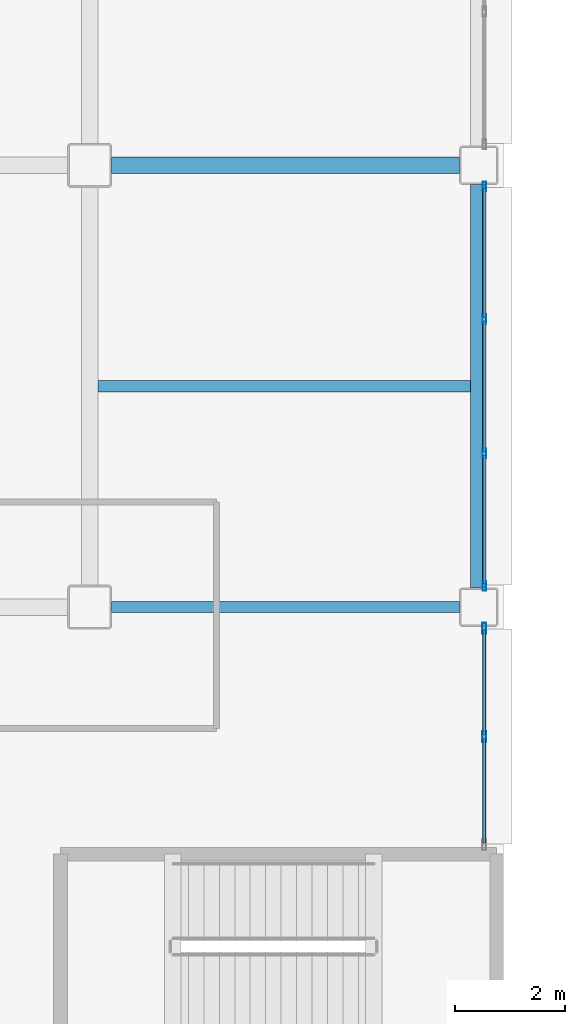
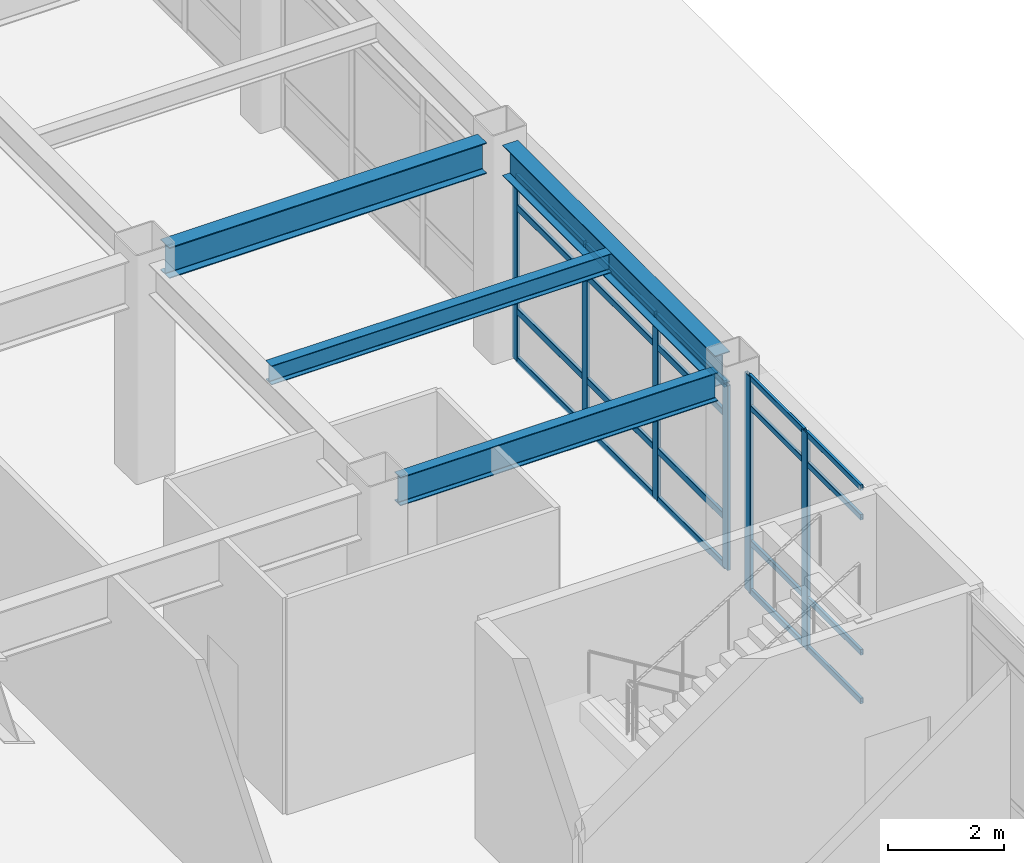
# One storey, part 115 of 172: 26 members, 4 beams, 2 elements without a shape of their own.
"""IFC4 building model written with IfcOpenShell, lengths in metres."""

from ifc_helpers import new_model, si_unit, direction, frame, origin, origin_2d, place, context, subcontext, project, spatial, hollow_rectangle, i_section, extrude, material, layer, layer_set, material_profile, profile_set, type_object, element, aggregate, save


model = new_model("IFC4")

# Units and contexts
model_context = context("Model", 3, precision=1e-05, world=origin(), true_north=direction((0.0, 1.0)))
body_context = subcontext(model_context, "Body", "Model", "MODEL_VIEW")
ifc_project = project(units=[si_unit("LENGTHUNIT", "METRE"), si_unit("AREAUNIT", "SQUARE_METRE"), si_unit("VOLUMEUNIT", "CUBIC_METRE"), si_unit("PLANEANGLEUNIT", "RADIAN"), si_unit("MASSUNIT", "GRAM", prefix="KILO")], contexts=[model_context])

# Site, building, storey
site_placement = place(None, origin())
site = spatial("IfcSite", under=ifc_project, at=site_placement, CompositionType="ELEMENT")
building_placement = place(site_placement, origin())
building = spatial("IfcBuilding", under=site, at=building_placement, Name="Kazehara Bluff Congress Hotel", CompositionType="ELEMENT")
storey_placement = place(building_placement, frame((0.0, 0.0, 5.39990234375)))
storey = spatial("IfcBuildingStorey", under=building, at=storey_placement, Name="L01", CompositionType="ELEMENT", Elevation=5.39990234375)

# Curtain wall, members
ifc_material_1 = material(Name="Anodised aluminium", Category="aluminium")
ifc_layer_1 = layer(ifc_material_1, 0.159912109375)
ifc_layer_set_1 = layer_set([ifc_layer_1], Name="Anodised aluminium")
curtain_wall_type_1 = type_object("IfcCurtainWallType", Name="TP-CW-80", PredefinedType="NOTDEFINED", material=ifc_layer_set_1)
curtain_wall_1_placement = place(storey_placement, origin())
curtain_wall_1 = element("IfcCurtainWall", 1, at=curtain_wall_1_placement, inside=storey, type_object=curtain_wall_type_1, Name="L01 curtain wall CW-80 CW-ENC-V5-L01-16765-8490", PredefinedType="NOTDEFINED")
ifc_material_2 = material(Name="Anodised aluminium", Category="aluminium")
ifc_material_profile_1 = material_profile(ifc_material_2, hollow_rectangle(XDim=0.06494140625, YDim=0.179931640625, WallThickness=0.00390625, InnerFilletRadius=0.00390625, OuterFilletRadius=0.008056640625, at=origin_2d()))
ifc_profile_set_1 = profile_set([ifc_material_profile_1], Name="Anodised aluminium")
member_type_1 = type_object("IfcMemberType", Name="TP-CWM-02", PredefinedType="MULLION", material=ifc_profile_set_1)
member_1_placement = place(storey_placement, frame((167.64990234375, 88.517578125, 0.0), z_axis=(0.0, 0.0, 1.0), x_axis=(1.0, 0.0, 0.0)))
member_1 = element("IfcMember", 2, at=member_1_placement, type_object=member_type_1, Name="CW-80 mullion 1", PredefinedType="MULLION", context=body_context, shape_type="SweptSolid", body=[
    extrude(hollow_rectangle(XDim=0.06494140625, YDim=0.179931640625, WallThickness=0.00390625, InnerFilletRadius=0.00390625, OuterFilletRadius=0.008056640625, at=origin_2d()), origin(), (0.0, 0.0, 1.0), 3.875),
])
member_2_placement = place(storey_placement, frame((167.64990234375, 86.11669921875, 0.0), z_axis=(0.0, 0.0, 1.0), x_axis=(1.0, 0.0, 0.0)))
member_2 = element("IfcMember", 3, at=member_2_placement, type_object=member_type_1, Name="CW-80 mullion 2", PredefinedType="MULLION", context=body_context, shape_type="SweptSolid", body=[
    extrude(hollow_rectangle(XDim=0.06494140625, YDim=0.179931640625, WallThickness=0.00390625, InnerFilletRadius=0.00390625, OuterFilletRadius=0.008056640625, at=origin_2d()), origin(), (0.0, 0.0, 1.0), 3.875),
])
member_3_placement = place(storey_placement, frame((167.64990234375, 83.683349609375, 0.0), z_axis=(0.0, 0.0, 1.0), x_axis=(1.0, 0.0, 0.0)))
member_3 = element("IfcMember", 4, at=member_3_placement, type_object=member_type_1, Name="CW-80 mullion 3", PredefinedType="MULLION", context=body_context, shape_type="SweptSolid", body=[
    extrude(hollow_rectangle(XDim=0.06494140625, YDim=0.179931640625, WallThickness=0.00390625, InnerFilletRadius=0.00390625, OuterFilletRadius=0.008056640625, at=origin_2d()), origin(), (0.0, 0.0, 1.0), 3.875),
])
member_4_placement = place(storey_placement, frame((167.64990234375, 81.282470703125, 0.0), z_axis=(0.0, 0.0, 1.0), x_axis=(1.0, 0.0, 0.0)))
member_4 = element("IfcMember", 5, at=member_4_placement, type_object=member_type_1, Name="CW-80 mullion 4", PredefinedType="MULLION", context=body_context, shape_type="SweptSolid", body=[
    extrude(hollow_rectangle(XDim=0.06494140625, YDim=0.179931640625, WallThickness=0.00390625, InnerFilletRadius=0.00390625, OuterFilletRadius=0.008056640625, at=origin_2d()), origin(), (0.0, 0.0, 1.0), 3.875),
])

ifc_material_3 = material(Name="Anodised aluminium", Category="aluminium")
ifc_layer_2 = layer(ifc_material_3, 0.159912109375)
ifc_layer_set_2 = layer_set([ifc_layer_2], Name="Anodised aluminium")
curtain_wall_type_2 = type_object("IfcCurtainWallType", Name="TP-CW-116", PredefinedType="NOTDEFINED", material=ifc_layer_set_2)
curtain_wall_2_placement = place(storey_placement, origin())
curtain_wall_2 = element("IfcCurtainWall", 6, at=curtain_wall_2_placement, inside=storey, type_object=curtain_wall_type_2, Name="L01 curtain wall CW-116 CW-ENC-V5-L01-16765-7856", PredefinedType="NOTDEFINED")
ifc_material_4 = material(Name="Anodised aluminium", Category="aluminium")
ifc_material_profile_2 = material_profile(ifc_material_4, hollow_rectangle(XDim=0.070068359375, YDim=0.199951171875, WallThickness=0.0048828125, InnerFilletRadius=0.0048828125, OuterFilletRadius=0.010009765625, at=origin_2d()))
ifc_profile_set_2 = profile_set([ifc_material_profile_2], Name="Anodised aluminium")
member_type_2 = type_object("IfcMemberType", Name="TP-CWM-03", PredefinedType="MULLION", material=ifc_profile_set_2)
member_5_placement = place(storey_placement, frame((167.64990234375, 80.514892578125, 0.0), z_axis=(0.0, 0.0, 1.0), x_axis=(1.0, 0.0, 0.0)))
member_5 = element("IfcMember", 7, at=member_5_placement, type_object=member_type_2, Name="CW-116 mullion 1", PredefinedType="MULLION", context=body_context, shape_type="SweptSolid", body=[
    extrude(hollow_rectangle(XDim=0.070068359375, YDim=0.199951171875, WallThickness=0.0048828125, InnerFilletRadius=0.0048828125, OuterFilletRadius=0.010009765625, at=origin_2d()), origin(), (0.0, 0.0, 1.0), 4.53515625),
])
member_6_placement = place(storey_placement, frame((167.64990234375, 78.554931640625, 0.0), z_axis=(0.0, 0.0, 1.0), x_axis=(1.0, 0.0, 0.0)))
member_6 = element("IfcMember", 8, at=member_6_placement, type_object=member_type_2, Name="CW-116 mullion 2", PredefinedType="MULLION", context=body_context, shape_type="SweptSolid", body=[
    extrude(hollow_rectangle(XDim=0.070068359375, YDim=0.199951171875, WallThickness=0.0048828125, InnerFilletRadius=0.0048828125, OuterFilletRadius=0.010009765625, at=origin_2d()), origin(), (0.0, 0.0, 1.0), 4.53515625),
])
ifc_material_5 = material(Name="Anodised aluminium", Category="aluminium")
ifc_material_profile_3 = material_profile(ifc_material_5, hollow_rectangle(XDim=0.06005859375, YDim=0.1201171875, WallThickness=0.00390625, InnerFilletRadius=0.00390625, OuterFilletRadius=0.008056640625, at=origin_2d()))
ifc_profile_set_3 = profile_set([ifc_material_profile_3], Name="Anodised aluminium")
member_type_3 = type_object("IfcMemberType", Name="TP-CWT-01", PredefinedType="USERDEFINED", material=ifc_profile_set_3)
member_7_placement = place(storey_placement, frame((167.64990234375, 80.47998046875, 0.030029296875), z_axis=(0.0, -1.0, 0.0), x_axis=(1.0, 0.0, 0.0)))
member_7 = element("IfcMember", 9, at=member_7_placement, type_object=member_type_3, Name="CW-116 transom 1.1", ObjectType="TRANSOM", PredefinedType="USERDEFINED", context=body_context, shape_type="SweptSolid", body=[
    extrude(hollow_rectangle(XDim=0.06005859375, YDim=0.1201171875, WallThickness=0.00390625, InnerFilletRadius=0.00390625, OuterFilletRadius=0.008056640625, at=origin_2d()), origin(), (0.0, 0.0, 1.0), 1.889892578125),
])
member_8_placement = place(storey_placement, frame((167.64990234375, 80.47998046875, 1.050048828125), z_axis=(0.0, -1.0, 0.0), x_axis=(1.0, 0.0, 0.0)))
member_8 = element("IfcMember", 10, at=member_8_placement, type_object=member_type_3, Name="CW-116 transom 1.2", ObjectType="TRANSOM", PredefinedType="USERDEFINED", context=body_context, shape_type="SweptSolid", body=[
    extrude(hollow_rectangle(XDim=0.06005859375, YDim=0.1201171875, WallThickness=0.00390625, InnerFilletRadius=0.00390625, OuterFilletRadius=0.008056640625, at=origin_2d()), origin(), (0.0, 0.0, 1.0), 1.889892578125),
])
member_9_placement = place(storey_placement, frame((167.64990234375, 80.47998046875, 3.885009765625), z_axis=(0.0, -1.0, 0.0), x_axis=(1.0, 0.0, 0.0)))
member_9 = element("IfcMember", 11, at=member_9_placement, type_object=member_type_3, Name="CW-116 transom 1.3", ObjectType="TRANSOM", PredefinedType="USERDEFINED", context=body_context, shape_type="SweptSolid", body=[
    extrude(hollow_rectangle(XDim=0.06005859375, YDim=0.1201171875, WallThickness=0.00390625, InnerFilletRadius=0.00390625, OuterFilletRadius=0.008056640625, at=origin_2d()), origin(), (0.0, 0.0, 1.0), 1.889892578125),
])
member_10_placement = place(storey_placement, frame((167.64990234375, 80.47998046875, 4.505126953125), z_axis=(0.0, -1.0, 0.0), x_axis=(1.0, 0.0, 0.0)))
member_10 = element("IfcMember", 12, at=member_10_placement, type_object=member_type_3, Name="CW-116 transom 1.4", ObjectType="TRANSOM", PredefinedType="USERDEFINED", context=body_context, shape_type="SweptSolid", body=[
    extrude(hollow_rectangle(XDim=0.06005859375, YDim=0.1201171875, WallThickness=0.00390625, InnerFilletRadius=0.00390625, OuterFilletRadius=0.008056640625, at=origin_2d()), origin(), (0.0, 0.0, 1.0), 1.889892578125),
])
member_11_placement = place(storey_placement, frame((167.64990234375, 78.52001953125, 0.030029296875), z_axis=(0.0, -1.0, 0.0), x_axis=(1.0, 0.0, 0.0)))
member_11 = element("IfcMember", 13, at=member_11_placement, type_object=member_type_3, Name="CW-116 transom 2.1", ObjectType="TRANSOM", PredefinedType="USERDEFINED", context=body_context, shape_type="SweptSolid", body=[
    extrude(hollow_rectangle(XDim=0.06005859375, YDim=0.1201171875, WallThickness=0.00390625, InnerFilletRadius=0.00390625, OuterFilletRadius=0.008056640625, at=origin_2d()), origin(), (0.0, 0.0, 1.0), 1.89013671875),
])
member_12_placement = place(storey_placement, frame((167.64990234375, 78.52001953125, 1.050048828125), z_axis=(0.0, -1.0, 0.0), x_axis=(1.0, 0.0, 0.0)))
member_12 = element("IfcMember", 14, at=member_12_placement, type_object=member_type_3, Name="CW-116 transom 2.2", ObjectType="TRANSOM", PredefinedType="USERDEFINED", context=body_context, shape_type="SweptSolid", body=[
    extrude(hollow_rectangle(XDim=0.06005859375, YDim=0.1201171875, WallThickness=0.00390625, InnerFilletRadius=0.00390625, OuterFilletRadius=0.008056640625, at=origin_2d()), origin(), (0.0, 0.0, 1.0), 1.89013671875),
])
member_13_placement = place(storey_placement, frame((167.64990234375, 78.52001953125, 3.885009765625), z_axis=(0.0, -1.0, 0.0), x_axis=(1.0, 0.0, 0.0)))
member_13 = element("IfcMember", 15, at=member_13_placement, type_object=member_type_3, Name="CW-116 transom 2.3", ObjectType="TRANSOM", PredefinedType="USERDEFINED", context=body_context, shape_type="SweptSolid", body=[
    extrude(hollow_rectangle(XDim=0.06005859375, YDim=0.1201171875, WallThickness=0.00390625, InnerFilletRadius=0.00390625, OuterFilletRadius=0.008056640625, at=origin_2d()), origin(), (0.0, 0.0, 1.0), 1.89013671875),
])
member_14_placement = place(storey_placement, frame((167.64990234375, 78.52001953125, 4.505126953125), z_axis=(0.0, -1.0, 0.0), x_axis=(1.0, 0.0, 0.0)))
member_14 = element("IfcMember", 16, at=member_14_placement, type_object=member_type_3, Name="CW-116 transom 2.4", ObjectType="TRANSOM", PredefinedType="USERDEFINED", context=body_context, shape_type="SweptSolid", body=[
    extrude(hollow_rectangle(XDim=0.06005859375, YDim=0.1201171875, WallThickness=0.00390625, InnerFilletRadius=0.00390625, OuterFilletRadius=0.008056640625, at=origin_2d()), origin(), (0.0, 0.0, 1.0), 1.89013671875),
])
aggregate(curtain_wall_2, [member_5, member_6, member_7, member_8, member_9, member_10, member_11, member_12, member_13, member_14])

# Member
ifc_material_6 = material(Name="Anodised aluminium", Category="aluminium")
ifc_material_profile_4 = material_profile(ifc_material_6, hollow_rectangle(XDim=0.06494140625, YDim=0.139892578125, WallThickness=0.00390625, InnerFilletRadius=0.00390625, OuterFilletRadius=0.008056640625, at=origin_2d()))
ifc_profile_set_4 = profile_set([ifc_material_profile_4], Name="Anodised aluminium")
member_type_4 = type_object("IfcMemberType", Name="TP-CWT-02", PredefinedType="USERDEFINED", material=ifc_profile_set_4)
member_15_placement = place(storey_placement, frame((167.64990234375, 88.485107421875, 0.03271484375), z_axis=(0.0, -1.0, 0.0), x_axis=(1.0, 0.0, 0.0)))
member_15 = element("IfcMember", 17, at=member_15_placement, type_object=member_type_4, Name="CW-80 transom 1.1", ObjectType="TRANSOM", PredefinedType="USERDEFINED", context=body_context, shape_type="SweptSolid", body=[
    extrude(hollow_rectangle(XDim=0.06494140625, YDim=0.139892578125, WallThickness=0.00390625, InnerFilletRadius=0.00390625, OuterFilletRadius=0.008056640625, at=origin_2d()), origin(), (0.0, 0.0, 1.0), 2.3359375),
])

member_16_placement = place(storey_placement, frame((167.64990234375, 88.485107421875, 1.050048828125), z_axis=(0.0, -1.0, 0.0), x_axis=(1.0, 0.0, 0.0)))
member_16 = element("IfcMember", 18, at=member_16_placement, type_object=member_type_4, Name="CW-80 transom 1.2", ObjectType="TRANSOM", PredefinedType="USERDEFINED", context=body_context, shape_type="SweptSolid", body=[
    extrude(hollow_rectangle(XDim=0.06494140625, YDim=0.139892578125, WallThickness=0.00390625, InnerFilletRadius=0.00390625, OuterFilletRadius=0.008056640625, at=origin_2d()), origin(), (0.0, 0.0, 1.0), 2.3359375),
])

member_17_placement = place(storey_placement, frame((167.64990234375, 88.485107421875, 3.22509765625), z_axis=(0.0, -1.0, 0.0), x_axis=(1.0, 0.0, 0.0)))
member_17 = element("IfcMember", 19, at=member_17_placement, type_object=member_type_4, Name="CW-80 transom 1.3", ObjectType="TRANSOM", PredefinedType="USERDEFINED", context=body_context, shape_type="SweptSolid", body=[
    extrude(hollow_rectangle(XDim=0.06494140625, YDim=0.139892578125, WallThickness=0.00390625, InnerFilletRadius=0.00390625, OuterFilletRadius=0.008056640625, at=origin_2d()), origin(), (0.0, 0.0, 1.0), 2.3359375),
])

member_18_placement = place(storey_placement, frame((167.64990234375, 88.485107421875, 3.842529296875), z_axis=(0.0, -1.0, 0.0), x_axis=(1.0, 0.0, 0.0)))
member_18 = element("IfcMember", 20, at=member_18_placement, type_object=member_type_4, Name="CW-80 transom 1.4", ObjectType="TRANSOM", PredefinedType="USERDEFINED", context=body_context, shape_type="SweptSolid", body=[
    extrude(hollow_rectangle(XDim=0.06494140625, YDim=0.139892578125, WallThickness=0.00390625, InnerFilletRadius=0.00390625, OuterFilletRadius=0.008056640625, at=origin_2d()), origin(), (0.0, 0.0, 1.0), 2.3359375),
])

member_19_placement = place(storey_placement, frame((167.64990234375, 86.084228515625, 0.03271484375), z_axis=(0.0, -1.0, 0.0), x_axis=(1.0, 0.0, 0.0)))
member_19 = element("IfcMember", 21, at=member_19_placement, type_object=member_type_4, Name="CW-80 transom 2.1", ObjectType="TRANSOM", PredefinedType="USERDEFINED", context=body_context, shape_type="SweptSolid", body=[
    extrude(hollow_rectangle(XDim=0.06494140625, YDim=0.139892578125, WallThickness=0.00390625, InnerFilletRadius=0.00390625, OuterFilletRadius=0.008056640625, at=origin_2d()), origin(), (0.0, 0.0, 1.0), 2.368408203125),
])

member_20_placement = place(storey_placement, frame((167.64990234375, 86.084228515625, 1.050048828125), z_axis=(0.0, -1.0, 0.0), x_axis=(1.0, 0.0, 0.0)))
member_20 = element("IfcMember", 22, at=member_20_placement, type_object=member_type_4, Name="CW-80 transom 2.2", ObjectType="TRANSOM", PredefinedType="USERDEFINED", context=body_context, shape_type="SweptSolid", body=[
    extrude(hollow_rectangle(XDim=0.06494140625, YDim=0.139892578125, WallThickness=0.00390625, InnerFilletRadius=0.00390625, OuterFilletRadius=0.008056640625, at=origin_2d()), origin(), (0.0, 0.0, 1.0), 2.368408203125),
])

member_21_placement = place(storey_placement, frame((167.64990234375, 86.084228515625, 3.22509765625), z_axis=(0.0, -1.0, 0.0), x_axis=(1.0, 0.0, 0.0)))
member_21 = element("IfcMember", 23, at=member_21_placement, type_object=member_type_4, Name="CW-80 transom 2.3", ObjectType="TRANSOM", PredefinedType="USERDEFINED", context=body_context, shape_type="SweptSolid", body=[
    extrude(hollow_rectangle(XDim=0.06494140625, YDim=0.139892578125, WallThickness=0.00390625, InnerFilletRadius=0.00390625, OuterFilletRadius=0.008056640625, at=origin_2d()), origin(), (0.0, 0.0, 1.0), 2.368408203125),
])

member_22_placement = place(storey_placement, frame((167.64990234375, 86.084228515625, 3.842529296875), z_axis=(0.0, -1.0, 0.0), x_axis=(1.0, 0.0, 0.0)))
member_22 = element("IfcMember", 24, at=member_22_placement, type_object=member_type_4, Name="CW-80 transom 2.4", ObjectType="TRANSOM", PredefinedType="USERDEFINED", context=body_context, shape_type="SweptSolid", body=[
    extrude(hollow_rectangle(XDim=0.06494140625, YDim=0.139892578125, WallThickness=0.00390625, InnerFilletRadius=0.00390625, OuterFilletRadius=0.008056640625, at=origin_2d()), origin(), (0.0, 0.0, 1.0), 2.368408203125),
])

member_23_placement = place(storey_placement, frame((167.64990234375, 83.65087890625, 0.03271484375), z_axis=(0.0, -1.0, 0.0), x_axis=(1.0, 0.0, 0.0)))
member_23 = element("IfcMember", 25, at=member_23_placement, type_object=member_type_4, Name="CW-80 transom 3.1", ObjectType="TRANSOM", PredefinedType="USERDEFINED", context=body_context, shape_type="SweptSolid", body=[
    extrude(hollow_rectangle(XDim=0.06494140625, YDim=0.139892578125, WallThickness=0.00390625, InnerFilletRadius=0.00390625, OuterFilletRadius=0.008056640625, at=origin_2d()), origin(), (0.0, 0.0, 1.0), 2.3359375),
])

member_24_placement = place(storey_placement, frame((167.64990234375, 83.65087890625, 1.050048828125), z_axis=(0.0, -1.0, 0.0), x_axis=(1.0, 0.0, 0.0)))
member_24 = element("IfcMember", 26, at=member_24_placement, type_object=member_type_4, Name="CW-80 transom 3.2", ObjectType="TRANSOM", PredefinedType="USERDEFINED", context=body_context, shape_type="SweptSolid", body=[
    extrude(hollow_rectangle(XDim=0.06494140625, YDim=0.139892578125, WallThickness=0.00390625, InnerFilletRadius=0.00390625, OuterFilletRadius=0.008056640625, at=origin_2d()), origin(), (0.0, 0.0, 1.0), 2.3359375),
])

member_25_placement = place(storey_placement, frame((167.64990234375, 83.65087890625, 3.22509765625), z_axis=(0.0, -1.0, 0.0), x_axis=(1.0, 0.0, 0.0)))
member_25 = element("IfcMember", 27, at=member_25_placement, type_object=member_type_4, Name="CW-80 transom 3.3", ObjectType="TRANSOM", PredefinedType="USERDEFINED", context=body_context, shape_type="SweptSolid", body=[
    extrude(hollow_rectangle(XDim=0.06494140625, YDim=0.139892578125, WallThickness=0.00390625, InnerFilletRadius=0.00390625, OuterFilletRadius=0.008056640625, at=origin_2d()), origin(), (0.0, 0.0, 1.0), 2.3359375),
])

member_26_placement = place(storey_placement, frame((167.64990234375, 83.65087890625, 3.842529296875), z_axis=(0.0, -1.0, 0.0), x_axis=(1.0, 0.0, 0.0)))
member_26 = element("IfcMember", 28, at=member_26_placement, type_object=member_type_4, Name="CW-80 transom 3.4", ObjectType="TRANSOM", PredefinedType="USERDEFINED", context=body_context, shape_type="SweptSolid", body=[
    extrude(hollow_rectangle(XDim=0.06494140625, YDim=0.139892578125, WallThickness=0.00390625, InnerFilletRadius=0.00390625, OuterFilletRadius=0.008056640625, at=origin_2d()), origin(), (0.0, 0.0, 1.0), 2.3359375),
])

aggregate(curtain_wall_1, [member_1, member_2, member_3, member_4, member_15, member_16, member_17, member_18, member_19, member_20, member_21, member_22, member_23, member_24, member_25, member_26])

# Beams
ifc_material_7 = material(Name="Steel SN490B", Category="steel")
ifc_material_profile_5 = material_profile(ifc_material_7, i_section(OverallWidth=0.300048828125, OverallDepth=0.64990234375, WebThickness=0.011962890625, FlangeThickness=0.02001953125, FilletRadius=0.012939453125, at=origin_2d()))
ifc_profile_set_5 = profile_set([ifc_material_profile_5], Name="Steel SN490B")
beam_type_1 = type_object("IfcBeamType", Name="TP-G-03", PredefinedType="BEAM", material=ifc_profile_set_5)
beam_1_placement = place(storey_placement, frame((167.550048828125, 81.25, 4.22509765625), z_axis=(0.0, 1.0, 0.0), x_axis=(-1.0, 0.0, 0.0)))
element("IfcBeam", 29, at=beam_1_placement, inside=storey, type_object=beam_type_1, Name="L01 girder G-03 267", PredefinedType="BEAM", context=body_context, shape_type="SweptSolid", body=[
    extrude(i_section(OverallWidth=0.300048828125, OverallDepth=0.64990234375, WebThickness=0.011962890625, FlangeThickness=0.02001953125, FilletRadius=0.012939453125, at=origin_2d()), origin(), (0.0, 0.0, 1.0), 7.300048828125),
])
beam_2_placement = place(storey_placement, frame((160.89990234375, 88.89990234375, 4.22509765625), z_axis=(1.0, 0.0, 0.0), x_axis=(0.0, 1.0, 0.0)))
element("IfcBeam", 30, at=beam_2_placement, inside=storey, type_object=beam_type_1, Name="L01 girder G-03 309", PredefinedType="BEAM", context=body_context, shape_type="SweptSolid", body=[
    extrude(i_section(OverallWidth=0.300048828125, OverallDepth=0.64990234375, WebThickness=0.011962890625, FlangeThickness=0.02001953125, FilletRadius=0.012939453125, at=origin_2d()), origin(), (0.0, 0.0, 1.0), 6.300048828125),
])
ifc_material_8 = material(Name="Steel SN400B", Category="steel")
ifc_material_profile_6 = material_profile(ifc_material_8, i_section(OverallWidth=0.199951171875, OverallDepth=0.39990234375, WebThickness=0.008056640625, FlangeThickness=0.012939453125, FilletRadius=0.012939453125, at=origin_2d()))
ifc_profile_set_6 = profile_set([ifc_material_profile_6], Name="Steel SN400B")
beam_type_2 = type_object("IfcBeamType", Name="TP-J-03", PredefinedType="JOIST", material=ifc_profile_set_6)
beam_3_placement = place(storey_placement, frame((160.64990234375, 84.89990234375, 4.35009765625), z_axis=(1.0, 0.0, 0.0), x_axis=(0.0, 1.0, 0.0)))
element("IfcBeam", 31, at=beam_3_placement, inside=storey, type_object=beam_type_2, Name="L01 secondary joist J-03 78", PredefinedType="JOIST", context=body_context, shape_type="SweptSolid", body=[
    extrude(i_section(OverallWidth=0.199951171875, OverallDepth=0.39990234375, WebThickness=0.008056640625, FlangeThickness=0.012939453125, FilletRadius=0.012939453125, at=origin_2d()), origin(), (0.0, 0.0, 1.0), 6.75),
])
ifc_material_9 = material(Name="Steel SN490B", Category="steel")
ifc_material_profile_7 = material_profile(ifc_material_9, i_section(OverallWidth=0.199951171875, OverallDepth=0.60009765625, WebThickness=0.010986328125, FlangeThickness=0.01708984375, FilletRadius=0.012939453125, at=origin_2d()))
ifc_profile_set_7 = profile_set([ifc_material_profile_7], Name="Steel SN490B")
beam_type_3 = type_object("IfcBeamType", Name="TP-SP-02", PredefinedType="SPANDREL", material=ifc_profile_set_7)
beam_4_placement = place(storey_placement, frame((160.89990234375, 80.89990234375, 4.25), z_axis=(1.0, 0.0, 0.0), x_axis=(0.0, 1.0, 0.0)))
element("IfcBeam", 32, at=beam_4_placement, inside=storey, type_object=beam_type_3, Name="L01 girder SP-02 307", PredefinedType="SPANDREL", context=body_context, shape_type="SweptSolid", body=[
    extrude(i_section(OverallWidth=0.199951171875, OverallDepth=0.60009765625, WebThickness=0.010986328125, FlangeThickness=0.01708984375, FilletRadius=0.012939453125, at=origin_2d()), origin(), (0.0, 0.0, 1.0), 6.300048828125),
])

save(model, "model.ifc")
